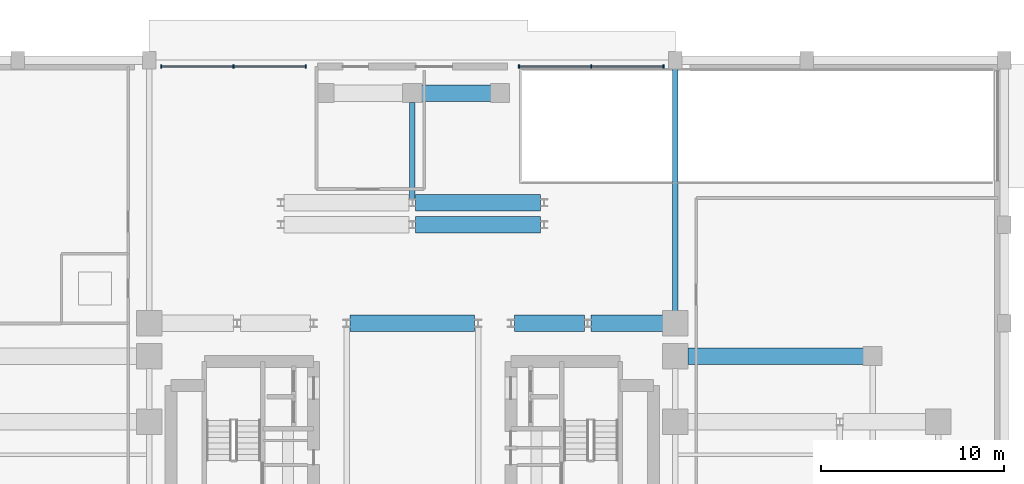
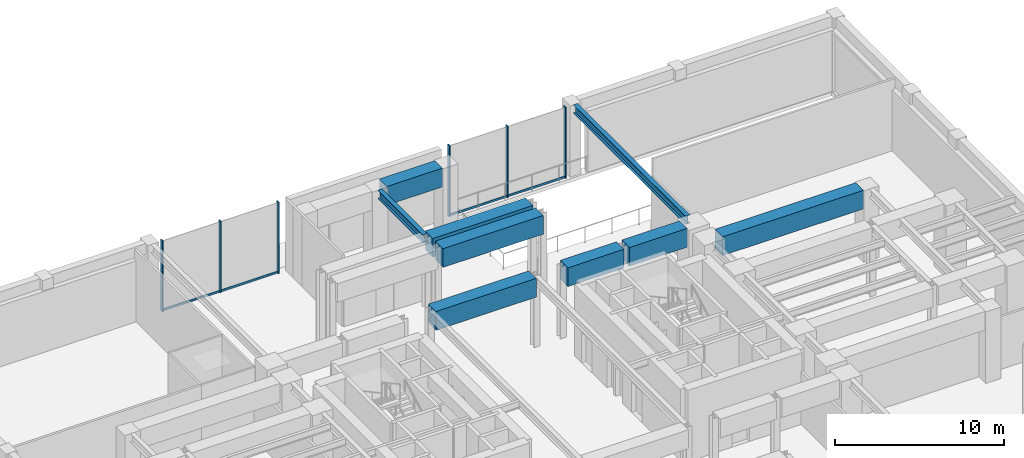
# One storey, part 8 of 17: 10 members, 9 beams, 2 elements without a shape of their own.
"""IFC4 building model written with IfcOpenShell, lengths in metres."""

from ifc_helpers import new_model, si_unit, direction, frame, origin, origin_2d, place, context, subcontext, project, spatial, rectangle, i_section, extrude, source, transform, mapped, material, material_profile, profile_set, type_object, element, aggregate, save


model = new_model("IFC4")

# Units and contexts
model_context = context("Model", 3, precision=1e-05, world=origin(), true_north=direction((0.0, 1.0)))
body_context = subcontext(model_context, "Body", "Model", "MODEL_VIEW")
ifc_project = project(units=[si_unit("LENGTHUNIT", "METRE"), si_unit("AREAUNIT", "SQUARE_METRE"), si_unit("VOLUMEUNIT", "CUBIC_METRE"), si_unit("PLANEANGLEUNIT", "RADIAN"), si_unit("MASSUNIT", "GRAM", prefix="KILO")], contexts=[model_context])

# Site, building, storey
site_placement = place(None, origin())
site = spatial("IfcSite", under=ifc_project, at=site_placement, CompositionType="ELEMENT")
building_placement = place(site_placement, origin())
building = spatial("IfcBuilding", under=site, at=building_placement, Name="Keilestroom Media Tower", CompositionType="ELEMENT")
storey_placement = place(building_placement, origin())
storey = spatial("IfcBuildingStorey", under=building, at=storey_placement, Name="L00", CompositionType="ELEMENT", Elevation=0.0)

# Beams
ifc_material_1 = material(Name="Concrete C55/67", Category="concrete")
ifc_material_profile_1 = material_profile(ifc_material_1, rectangle(XDim=0.89990234375, YDim=1.35009765625, at=origin_2d()), Name="RC 900x1350")
ifc_profile_set_1 = profile_set([ifc_material_profile_1], Name="Concrete C55/67")
beam_type_1 = type_object("IfcBeamType", Name="Primary-Structural-Girder-RC-900x1350", PredefinedType="BEAM", material=ifc_profile_set_1)
shared_shape_1 = source(origin(), body_context, "Body", "SweptSolid", [
    extrude(rectangle(XDim=0.89990234375, YDim=1.35009765625, at=origin_2d()), origin(), (0.0, 0.0, 1.0), 6.833984375),
])
for number, where, z_axis, x_axis, name in (
    (1, (-3.4169921875, 9.0, 4.47509765625), (1.0, 0.0, 0.0), (0.0, 1.0, 0.0), "L00 Beam TG-2 BM-L00-EW-031"),
    (2, (0.18310546875, 14.39990234375, 4.47509765625), (1.0, 0.0, 0.0), (0.0, 1.0, 0.0), "L00 Beam TG-2 BM-L00-EW-036"),
    (3, (0.18310546875, 15.60009765625, 4.47509765625), (1.0, 0.0, 0.0), (0.0, 1.0, 0.0), "L00 Beam TG-2 BM-L00-EW-038"),
):
    element("IfcBeam", number, at=place(storey_placement, frame(where, z_axis=z_axis, x_axis=x_axis)), inside=storey, type_object=beam_type_1, Name=name, PredefinedType="BEAM", context=body_context, shape_type="MappedRepresentation", body=[
        mapped(shared_shape_1, transform((0.0, 0.0, 0.0), x_axis=(1.0, 0.0, 0.0), y_axis=(0.0, 1.0, 0.0), z_axis=(0.0, 0.0, 1.0), scale=1.0)),
    ])
shared_shape_2 = source(origin(), body_context, "Body", "SweptSolid", [
    extrude(rectangle(XDim=0.89990234375, YDim=1.35009765625, at=origin_2d()), origin(), (0.0, 0.0, 1.0), 3.93701171875),
])
beam_1_placement = place(storey_placement, frame((9.782958984375, 9.0, 4.47509765625), z_axis=(1.0, 0.0, 0.0), x_axis=(0.0, 1.0, 0.0)))
element("IfcBeam", 4, at=beam_1_placement, inside=storey, type_object=beam_type_1, Name="L00 Beam TG-2 BM-L00-EW-034", PredefinedType="BEAM", context=body_context, shape_type="MappedRepresentation", body=[
    mapped(shared_shape_2, transform((0.0, 0.0, 0.0), x_axis=(1.0, 0.0, 0.0), y_axis=(0.0, 1.0, 0.0), z_axis=(0.0, 0.0, 1.0), scale=1.0)),
])
shared_shape_3 = source(origin(), body_context, "Body", "SweptSolid", [
    extrude(rectangle(XDim=0.89990234375, YDim=1.35009765625, at=origin_2d()), origin(), (0.0, 0.0, 1.0), 3.833984375),
])
beam_2_placement = place(storey_placement, frame((5.5830078125, 9.0, 4.47509765625), z_axis=(1.0, 0.0, 0.0), x_axis=(0.0, 1.0, 0.0)))
element("IfcBeam", 5, at=beam_2_placement, inside=storey, type_object=beam_type_1, Name="L00 Beam TG-2 BM-L00-EW-033", PredefinedType="BEAM", context=body_context, shape_type="MappedRepresentation", body=[
    mapped(shared_shape_3, transform((0.0, 0.0, 0.0), x_axis=(1.0, 0.0, 0.0), y_axis=(0.0, 1.0, 0.0), z_axis=(0.0, 0.0, 1.0), scale=1.0)),
])
shared_shape_4 = source(origin(), body_context, "Body", "SweptSolid", [
    extrude(rectangle(XDim=0.89990234375, YDim=1.35009765625, at=origin_2d()), origin(), (0.0, 0.0, 1.0), 9.614990234375),
])
beam_3_placement = place(storey_placement, frame((15.080078125, 7.199951171875, 4.47509765625), z_axis=(1.0, 0.0, 0.0), x_axis=(0.0, 1.0, 0.0)))
element("IfcBeam", 6, at=beam_3_placement, inside=storey, type_object=beam_type_1, Name="L00 Beam TG-2 BM-L00-EW-027", PredefinedType="BEAM", context=body_context, shape_type="MappedRepresentation", body=[
    mapped(shared_shape_4, transform((0.0, 0.0, 0.0), x_axis=(1.0, 0.0, 0.0), y_axis=(0.0, 1.0, 0.0), z_axis=(0.0, 0.0, 1.0), scale=1.0)),
])
shared_shape_5 = source(origin(), body_context, "Body", "SweptSolid", [
    extrude(rectangle(XDim=0.89990234375, YDim=1.35009765625, at=origin_2d()), origin(), (0.0, 0.0, 1.0), 3.7900390625),
])
beam_4_placement = place(storey_placement, frame((0.5048828125, 21.60009765625, 4.47509765625), z_axis=(1.0, 0.0, 0.0), x_axis=(0.0, 1.0, 0.0)))
element("IfcBeam", 7, at=beam_4_placement, inside=storey, type_object=beam_type_1, Name="L00 Beam TG-2 BM-L00-EW-040", PredefinedType="BEAM", context=body_context, shape_type="MappedRepresentation", body=[
    mapped(shared_shape_5, transform((0.0, 0.0, 0.0), x_axis=(1.0, 0.0, 0.0), y_axis=(0.0, 1.0, 0.0), z_axis=(0.0, 0.0, 1.0), scale=1.0)),
])
ifc_material_2 = material(Name="Steel S355", Category="steel")
ifc_material_profile_2 = material_profile(ifc_material_2, i_section(OverallWidth=0.300048828125, OverallDepth=0.60009765625, WebThickness=0.013427734375, FlangeThickness=0.030029296875, at=origin_2d()), Name="HEB 600")
ifc_profile_set_2 = profile_set([ifc_material_profile_2], Name="Steel S355")
beam_type_2 = type_object("IfcBeamType", Name="Primary-Structural-Girder-HEB-600", PredefinedType="BEAM", material=ifc_profile_set_2)
shared_shape_6 = source(origin(), body_context, "Body", "SweptSolid", [
    extrude(i_section(OverallWidth=0.300048828125, OverallDepth=0.60009765625, WebThickness=0.013427734375, FlangeThickness=0.030029296875, at=origin_2d()), origin(), (0.0, 0.0, 1.0), 13.26513671875),
])
beam_5_placement = place(storey_placement, frame((14.39990234375, 9.679931640625, 4.85009765625), z_axis=(0.0, 1.0, 0.0), x_axis=(-1.0, 0.0, 0.0)))
element("IfcBeam", 8, at=beam_5_placement, inside=storey, type_object=beam_type_2, Name="L00 Beam BG-4 BM-L00-NS-081", PredefinedType="BEAM", context=body_context, shape_type="MappedRepresentation", body=[
    mapped(shared_shape_6, transform((0.0, 0.0, 0.0), x_axis=(1.0, 0.0, 0.0), y_axis=(0.0, 1.0, 0.0), z_axis=(0.0, 0.0, 1.0), scale=1.0)),
])
shared_shape_7 = source(origin(), body_context, "Body", "SweptSolid", [
    extrude(i_section(OverallWidth=0.300048828125, OverallDepth=0.60009765625, WebThickness=0.013427734375, FlangeThickness=0.030029296875, at=origin_2d()), origin(), (0.0, 0.0, 1.0), 5.306884765625),
])
beam_6_placement = place(storey_placement, frame((0.0, 15.7880859375, 4.85009765625), z_axis=(0.0, 1.0, 0.0), x_axis=(-1.0, 0.0, 0.0)))
element("IfcBeam", 9, at=beam_6_placement, inside=storey, type_object=beam_type_2, Name="L00 Beam BG-4 BM-L00-NS-069", PredefinedType="BEAM", context=body_context, shape_type="MappedRepresentation", body=[
    mapped(shared_shape_7, transform((0.0, 0.0, 0.0), x_axis=(1.0, 0.0, 0.0), y_axis=(0.0, 1.0, 0.0), z_axis=(0.0, 0.0, 1.0), scale=1.0)),
])

# Curtain wall, members
ifc_material_3 = material(Name="Anodised Aluminium Alloy", Category="aluminium")
curtain_wall_type = type_object("IfcCurtainWallType", Name="Unitised-Curtain-Wall-CW-7", PredefinedType="NOTDEFINED", material=ifc_material_3)
curtain_wall_1_placement = place(storey_placement, origin())
curtain_wall_1 = element("IfcCurtainWall", 10, at=curtain_wall_1_placement, inside=storey, type_object=curtain_wall_type, Name="L00 Curtain Wall CW-7 CW-L00-N-ATW", PredefinedType="NOTDEFINED")
ifc_material_profile_3 = material_profile(ifc_material_3, rectangle(XDim=0.070068359375, YDim=0.199951171875, at=origin_2d()), Name="ALU MULLION 70x200")
ifc_profile_set_3 = profile_set([ifc_material_profile_3], Name="Anodised Aluminium Alloy")
member_type_1 = type_object("IfcMemberType", Name="Curtain-Wall-Mullion-CW-7", PredefinedType="MULLION", material=ifc_profile_set_3)
shared_shape_8 = source(origin(), body_context, "Body", "SweptSolid", [
    extrude(rectangle(XDim=0.070068359375, YDim=0.199951171875, at=origin_2d()), origin(), (0.0, 0.0, 1.0), 5.14990234375),
])
member_1_placement = place(storey_placement, frame((-13.7451171875, 23.050048828125, 0.0), z_axis=(0.0, 0.0, 1.0), x_axis=(1.0, 0.0, 0.0)))
member_1 = element("IfcMember", 11, at=member_1_placement, type_object=member_type_1, Name="CW-7 Mullion 00", PredefinedType="MULLION", context=body_context, shape_type="MappedRepresentation", body=[
    mapped(shared_shape_8, transform((0.0, 0.0, 0.0), x_axis=(1.0, 0.0, 0.0), y_axis=(0.0, 1.0, 0.0), z_axis=(0.0, 0.0, 1.0), scale=1.0)),
])
member_2_placement = place(storey_placement, frame((-9.7900390625, 23.050048828125, 0.0), z_axis=(0.0, 0.0, 1.0), x_axis=(1.0, 0.0, 0.0)))
member_2 = element("IfcMember", 12, at=member_2_placement, type_object=member_type_1, Name="CW-7 Mullion 01", PredefinedType="MULLION", context=body_context, shape_type="MappedRepresentation", body=[
    mapped(shared_shape_8, transform((0.0, 0.0, 0.0), x_axis=(1.0, 0.0, 0.0), y_axis=(0.0, 1.0, 0.0), z_axis=(0.0, 0.0, 1.0), scale=1.0)),
])
member_3_placement = place(storey_placement, frame((-5.8349609375, 23.050048828125, 0.0), z_axis=(0.0, 0.0, 1.0), x_axis=(1.0, 0.0, 0.0)))
member_3 = element("IfcMember", 13, at=member_3_placement, type_object=member_type_1, Name="CW-7 Mullion 02", PredefinedType="MULLION", context=body_context, shape_type="MappedRepresentation", body=[
    mapped(shared_shape_8, transform((0.0, 0.0, 0.0), x_axis=(1.0, 0.0, 0.0), y_axis=(0.0, 1.0, 0.0), z_axis=(0.0, 0.0, 1.0), scale=1.0)),
])

curtain_wall_2_placement = place(storey_placement, origin())
curtain_wall_2 = element("IfcCurtainWall", 14, at=curtain_wall_2_placement, inside=storey, type_object=curtain_wall_type, Name="L00 Curtain Wall CW-7 CW-L00-N-ATE", PredefinedType="NOTDEFINED")
member_4_placement = place(storey_placement, frame((5.8349609375, 23.050048828125, 0.0), z_axis=(0.0, 0.0, 1.0), x_axis=(1.0, 0.0, 0.0)))
member_4 = element("IfcMember", 15, at=member_4_placement, type_object=member_type_1, Name="CW-7 Mullion 00", PredefinedType="MULLION", context=body_context, shape_type="MappedRepresentation", body=[
    mapped(shared_shape_8, transform((0.0, 0.0, 0.0), x_axis=(1.0, 0.0, 0.0), y_axis=(0.0, 1.0, 0.0), z_axis=(0.0, 0.0, 1.0), scale=1.0)),
])
member_5_placement = place(storey_placement, frame((9.7900390625, 23.050048828125, 0.0), z_axis=(0.0, 0.0, 1.0), x_axis=(1.0, 0.0, 0.0)))
member_5 = element("IfcMember", 16, at=member_5_placement, type_object=member_type_1, Name="CW-7 Mullion 01", PredefinedType="MULLION", context=body_context, shape_type="MappedRepresentation", body=[
    mapped(shared_shape_8, transform((0.0, 0.0, 0.0), x_axis=(1.0, 0.0, 0.0), y_axis=(0.0, 1.0, 0.0), z_axis=(0.0, 0.0, 1.0), scale=1.0)),
])
member_6_placement = place(storey_placement, frame((13.7451171875, 23.050048828125, 0.0), z_axis=(0.0, 0.0, 1.0), x_axis=(1.0, 0.0, 0.0)))
member_6 = element("IfcMember", 17, at=member_6_placement, type_object=member_type_1, Name="CW-7 Mullion 02", PredefinedType="MULLION", context=body_context, shape_type="MappedRepresentation", body=[
    mapped(shared_shape_8, transform((0.0, 0.0, 0.0), x_axis=(1.0, 0.0, 0.0), y_axis=(0.0, 1.0, 0.0), z_axis=(0.0, 0.0, 1.0), scale=1.0)),
])

# Member
ifc_material_profile_4 = material_profile(ifc_material_3, rectangle(XDim=0.06494140625, YDim=0.14990234375, at=origin_2d()), Name="ALU TRANSOM 65x150")
ifc_profile_set_4 = profile_set([ifc_material_profile_4], Name="Anodised Aluminium Alloy")
member_type_2 = type_object("IfcMemberType", Name="Curtain-Wall-Transom-CW-7", PredefinedType="USERDEFINED", material=ifc_profile_set_4)
shared_shape_9 = source(origin(), body_context, "Body", "SweptSolid", [
    extrude(rectangle(XDim=0.06494140625, YDim=0.14990234375, at=origin_2d()), origin(), (0.0, 0.0, 1.0), 3.888916015625),
])
member_7_placement = place(storey_placement, frame((-13.7119140625, 23.050048828125, 0.074951171875), z_axis=(1.0, 0.0, 0.0), x_axis=(0.0, 1.0, 0.0)))
member_7 = element("IfcMember", 18, at=member_7_placement, type_object=member_type_2, Name="CW-7 Transom 00.1", ObjectType="TRANSOM", PredefinedType="USERDEFINED", context=body_context, shape_type="MappedRepresentation", body=[
    mapped(shared_shape_9, transform((0.0, 0.0, 0.0), x_axis=(1.0, 0.0, 0.0), y_axis=(0.0, 1.0, 0.0), z_axis=(0.0, 0.0, 1.0), scale=1.0)),
])

member_8_placement = place(storey_placement, frame((9.822998046875, 23.050048828125, 0.074951171875), z_axis=(1.0, 0.0, 0.0), x_axis=(0.0, 1.0, 0.0)))
member_8 = element("IfcMember", 19, at=member_8_placement, type_object=member_type_2, Name="CW-7 Transom 01.1", ObjectType="TRANSOM", PredefinedType="USERDEFINED", context=body_context, shape_type="MappedRepresentation", body=[
    mapped(shared_shape_9, transform((0.0, 0.0, 0.0), x_axis=(1.0, 0.0, 0.0), y_axis=(0.0, 1.0, 0.0), z_axis=(0.0, 0.0, 1.0), scale=1.0)),
])

shared_shape_10 = source(origin(), body_context, "Body", "SweptSolid", [
    extrude(rectangle(XDim=0.06494140625, YDim=0.14990234375, at=origin_2d()), origin(), (0.0, 0.0, 1.0), 3.88916015625),
])
member_9_placement = place(storey_placement, frame((-9.757080078125, 23.050048828125, 0.074951171875), z_axis=(1.0, 0.0, 0.0), x_axis=(0.0, 1.0, 0.0)))
member_9 = element("IfcMember", 20, at=member_9_placement, type_object=member_type_2, Name="CW-7 Transom 01.1", ObjectType="TRANSOM", PredefinedType="USERDEFINED", context=body_context, shape_type="MappedRepresentation", body=[
    mapped(shared_shape_10, transform((0.0, 0.0, 0.0), x_axis=(1.0, 0.0, 0.0), y_axis=(0.0, 1.0, 0.0), z_axis=(0.0, 0.0, 1.0), scale=1.0)),
])

aggregate(curtain_wall_1, [member_1, member_2, member_3, member_7, member_9])

member_10_placement = place(storey_placement, frame((5.867919921875, 23.050048828125, 0.074951171875), z_axis=(1.0, 0.0, 0.0), x_axis=(0.0, 1.0, 0.0)))
member_10 = element("IfcMember", 21, at=member_10_placement, type_object=member_type_2, Name="CW-7 Transom 00.1", ObjectType="TRANSOM", PredefinedType="USERDEFINED", context=body_context, shape_type="MappedRepresentation", body=[
    mapped(shared_shape_10, transform((0.0, 0.0, 0.0), x_axis=(1.0, 0.0, 0.0), y_axis=(0.0, 1.0, 0.0), z_axis=(0.0, 0.0, 1.0), scale=1.0)),
])

aggregate(curtain_wall_2, [member_4, member_5, member_6, member_10, member_8])

save(model, "model.ifc")
